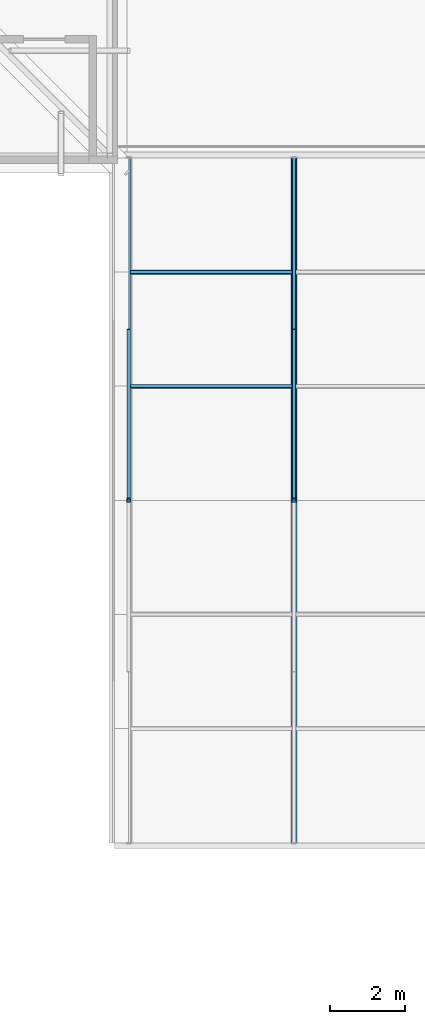
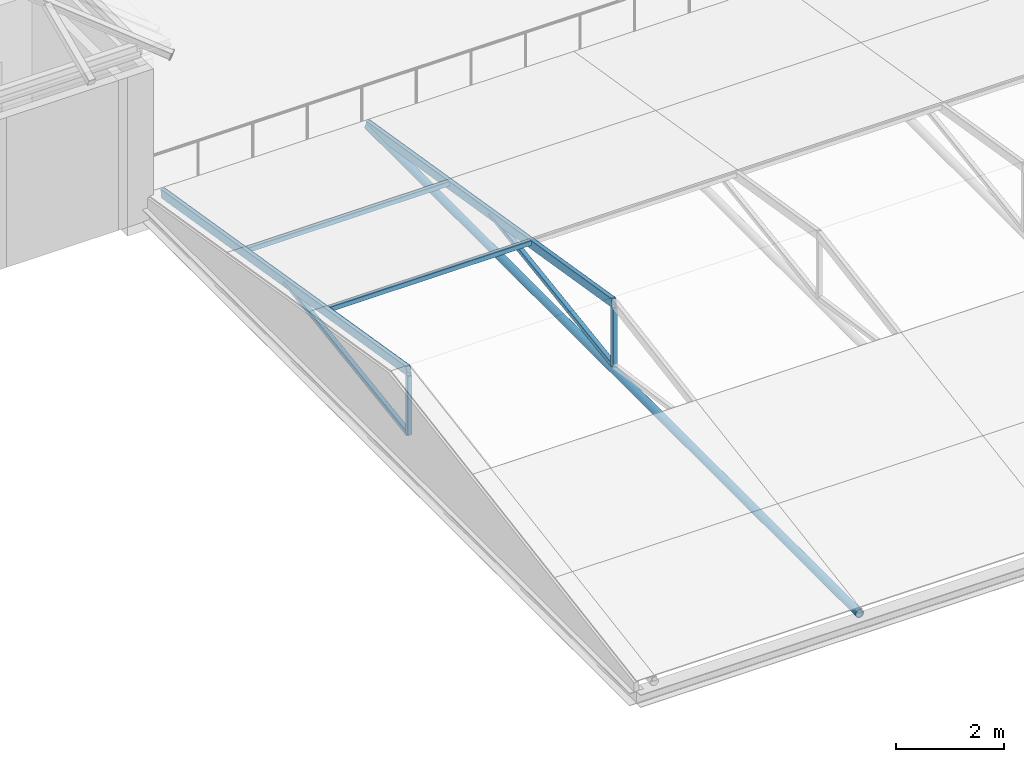
# One storey, part 7 of 69: 9 members.
"""IFC4 building model written with IfcOpenShell, lengths in metres."""

from ifc_helpers import new_model, si_unit, direction, frame, origin, origin_2d, place, context, subcontext, project, spatial, hollow_rectangle, hollow_circle, extrude, material, material_profile, profile_set, type_object, element, save


model = new_model("IFC4")

# Units and contexts
model_context = context("Model", 3, precision=1e-05, world=origin(), true_north=direction((0.0, 1.0)))
body_context = subcontext(model_context, "Body", "Model", "MODEL_VIEW")
ifc_project = project(units=[si_unit("LENGTHUNIT", "METRE"), si_unit("AREAUNIT", "SQUARE_METRE"), si_unit("VOLUMEUNIT", "CUBIC_METRE"), si_unit("PLANEANGLEUNIT", "RADIAN"), si_unit("MASSUNIT", "GRAM", prefix="KILO")], contexts=[model_context])

# Site, building, storey
site_placement = place(None, origin())
site = spatial("IfcSite", under=ifc_project, at=site_placement, CompositionType="ELEMENT")
building_placement = place(site_placement, origin())
building = spatial("IfcBuilding", under=site, at=building_placement, Name="Kallimachos Central Library", CompositionType="ELEMENT")
storey_placement = place(building_placement, frame((0.0, 0.0, 23.39990234375)))
storey = spatial("IfcBuildingStorey", under=building, at=storey_placement, Name="L05", CompositionType="ELEMENT", Elevation=23.39990234375)

# Members
ifc_material_1 = material(Name="Steel S355J2H", Category="steel")
ifc_material_profile_1 = material_profile(ifc_material_1, hollow_circle(Radius=0.084228515625, WallThickness=0.008056640625, at=origin_2d()), Name="CHS 168.3x8")
ifc_profile_set_1 = profile_set([ifc_material_profile_1], Name="Steel S355J2H")
member_type_1 = type_object("IfcMemberType", Name="CHS 168.3x8 tie", PredefinedType="MEMBER", material=ifc_profile_set_1)
member_placement = place(storey_placement, frame((79.199951171875, 56.919921875, 0.374267578125), z_axis=(0.0, 1.0, 0.0), x_axis=(-1.0, 0.0, 0.0)))
element("IfcMember", 1, at=member_placement, inside=storey, type_object=member_type_1, Name="V4-MEM-L05-049", PredefinedType="MEMBER", context=body_context, shape_type="SweptSolid", body=[
    extrude(hollow_circle(Radius=0.084228515625, WallThickness=0.008056640625, at=origin_2d()), origin(), (0.0, 0.0, 1.0), 18.22998046875),
])
ifc_material_2 = material(Name="Steel S355J2H", Category="steel")
ifc_material_profile_2 = material_profile(ifc_material_2, hollow_rectangle(XDim=0.10009765625, YDim=0.199951171875, WallThickness=0.008056640625, InnerFilletRadius=0.008056640625, OuterFilletRadius=0.011962890625, at=origin_2d()), Name="RHS 200x100x8")
ifc_profile_set_2 = profile_set([ifc_material_profile_2], Name="Steel S355J2H")
member_type_2 = type_object("IfcMemberType", Name="RHS 200x100x8 rafter", PredefinedType="RAFTER", material=ifc_profile_set_2)
for number, where, z_axis, x_axis, name in (
    (2, (74.800048828125, 75.14990234375, 0.391357421875), (0.0, -0.986728292904, 0.162380035666), (1.0, 0.0, 0.0), "V4-MEM-L05-042"),
    (3, (79.199951171875, 75.14990234375, 0.391357421875), (0.0, -0.986728292904, 0.162380035666), (1.0, 0.0, 0.0), "V4-MEM-L05-048"),
):
    element("IfcMember", number, at=place(storey_placement, frame(where, z_axis=z_axis, x_axis=x_axis)), inside=storey, type_object=member_type_2, Name=name, PredefinedType="RAFTER", context=body_context, shape_type="SweptSolid", body=[
        extrude(hollow_rectangle(XDim=0.10009765625, YDim=0.199951171875, WallThickness=0.008056640625, InnerFilletRadius=0.008056640625, OuterFilletRadius=0.011962890625, at=origin_2d()), origin(), (0.0, 0.0, 1.0), 9.237548828125),
    ])
ifc_material_3 = material(Name="Steel S355J2H", Category="steel")
ifc_material_profile_3 = material_profile(ifc_material_3, hollow_rectangle(XDim=0.10009765625, YDim=0.10009765625, WallThickness=0.008056640625, InnerFilletRadius=0.008056640625, OuterFilletRadius=0.011962890625, at=origin_2d()), Name="SHS 100x100x8")
ifc_profile_set_3 = profile_set([ifc_material_profile_3], Name="Steel S355J2H")
member_type_3 = type_object("IfcMemberType", Name="SHS 100x100x8 king post", PredefinedType="POST", material=ifc_profile_set_3)
for number, where, z_axis, x_axis, name in (
    (4, (74.800048828125, 66.034912109375, 0.45849609375), (0.0, 0.0, 1.0), (1.0, 0.0, 0.0), "V4-MEM-L05-044"),
    (5, (79.199951171875, 66.034912109375, 0.45849609375), (0.0, 0.0, 1.0), (1.0, 0.0, 0.0), "V4-MEM-L05-050"),
):
    element("IfcMember", number, at=place(storey_placement, frame(where, z_axis=z_axis, x_axis=x_axis)), inside=storey, type_object=member_type_3, Name=name, PredefinedType="POST", context=body_context, shape_type="SweptSolid", body=[
        extrude(hollow_rectangle(XDim=0.10009765625, YDim=0.10009765625, WallThickness=0.008056640625, InnerFilletRadius=0.008056640625, OuterFilletRadius=0.011962890625, at=origin_2d()), origin(), (0.0, 0.0, 1.0), 1.33154296875),
    ])
ifc_material_4 = material(Name="Steel S355J2H", Category="steel")
ifc_material_profile_4 = material_profile(ifc_material_4, hollow_rectangle(XDim=0.10009765625, YDim=0.10009765625, WallThickness=0.008056640625, InnerFilletRadius=0.008056640625, OuterFilletRadius=0.011962890625, at=origin_2d()), Name="SHS 100x100x8")
ifc_profile_set_4 = profile_set([ifc_material_profile_4], Name="Steel S355J2H")
member_type_4 = type_object("IfcMemberType", Name="SHS 100x100x8 purlin", PredefinedType="PURLIN", material=ifc_profile_set_4)
for number, where, z_axis, x_axis, name in (
    (6, (74.85009765625, 72.103515625, 0.943359375), (1.0, 0.0, 0.0), (0.0, 0.986728320778, -0.162379866283), "V4-MEM-L05-095"),
    (7, (74.85009765625, 69.065185546875, 1.443359375), (1.0, 0.0, 0.0), (0.0, 0.986728320778, -0.162379866283), "V4-MEM-L05-101"),
):
    element("IfcMember", number, at=place(storey_placement, frame(where, z_axis=z_axis, x_axis=x_axis)), inside=storey, type_object=member_type_4, Name=name, PredefinedType="PURLIN", context=body_context, shape_type="SweptSolid", body=[
        extrude(hollow_rectangle(XDim=0.10009765625, YDim=0.10009765625, WallThickness=0.008056640625, InnerFilletRadius=0.008056640625, OuterFilletRadius=0.011962890625, at=origin_2d()), origin(), (0.0, 0.0, 1.0), 4.2998046875),
    ])
ifc_material_5 = material(Name="Steel S355J2H", Category="steel")
ifc_material_profile_5 = material_profile(ifc_material_5, hollow_rectangle(XDim=0.10009765625, YDim=0.10009765625, WallThickness=0.008056640625, InnerFilletRadius=0.008056640625, OuterFilletRadius=0.011962890625, at=origin_2d()), Name="SHS 100x100x8")
ifc_profile_set_5 = profile_set([ifc_material_profile_5], Name="Steel S355J2H")
member_type_5 = type_object("IfcMemberType", Name="SHS 100x100x8 strut", PredefinedType="STRUT", material=ifc_profile_set_5)
for number, where, z_axis, x_axis, name in (
    (8, (74.800048828125, 66.034912109375, 0.474365234375), (0.0, 0.989460323252, 0.144804242721), (-1.0, 0.0, 0.0), "V4-MEM-L05-046"),
    (9, (79.199951171875, 66.034912109375, 0.474365234375), (0.0, 0.989460323252, 0.144804242721), (-1.0, 0.0, 0.0), "V4-MEM-L05-052"),
):
    element("IfcMember", number, at=place(storey_placement, frame(where, z_axis=z_axis, x_axis=x_axis)), inside=storey, type_object=member_type_5, Name=name, PredefinedType="STRUT", context=body_context, shape_type="SweptSolid", body=[
        extrude(hollow_rectangle(XDim=0.10009765625, YDim=0.10009765625, WallThickness=0.008056640625, InnerFilletRadius=0.008056640625, OuterFilletRadius=0.011962890625, at=origin_2d()), origin(), (0.0, 0.0, 1.0), 4.606201171875),
    ])

save(model, "model.ifc")
